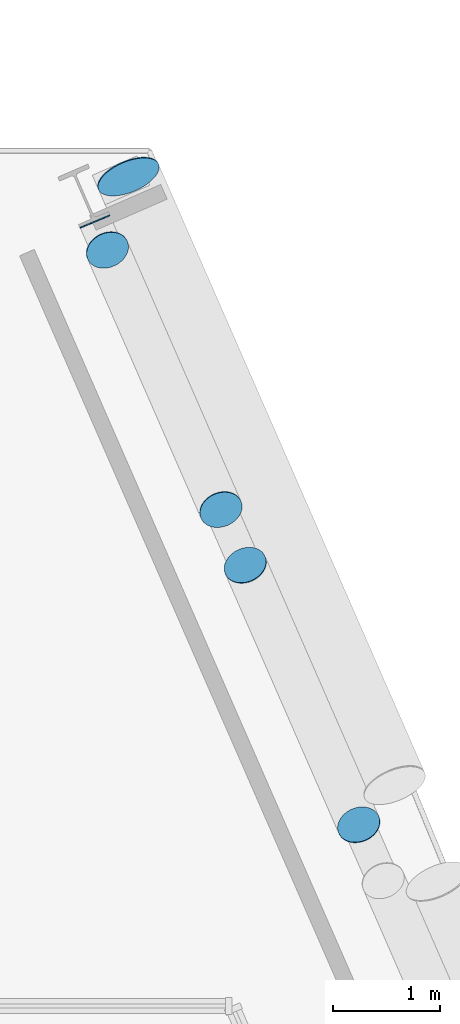
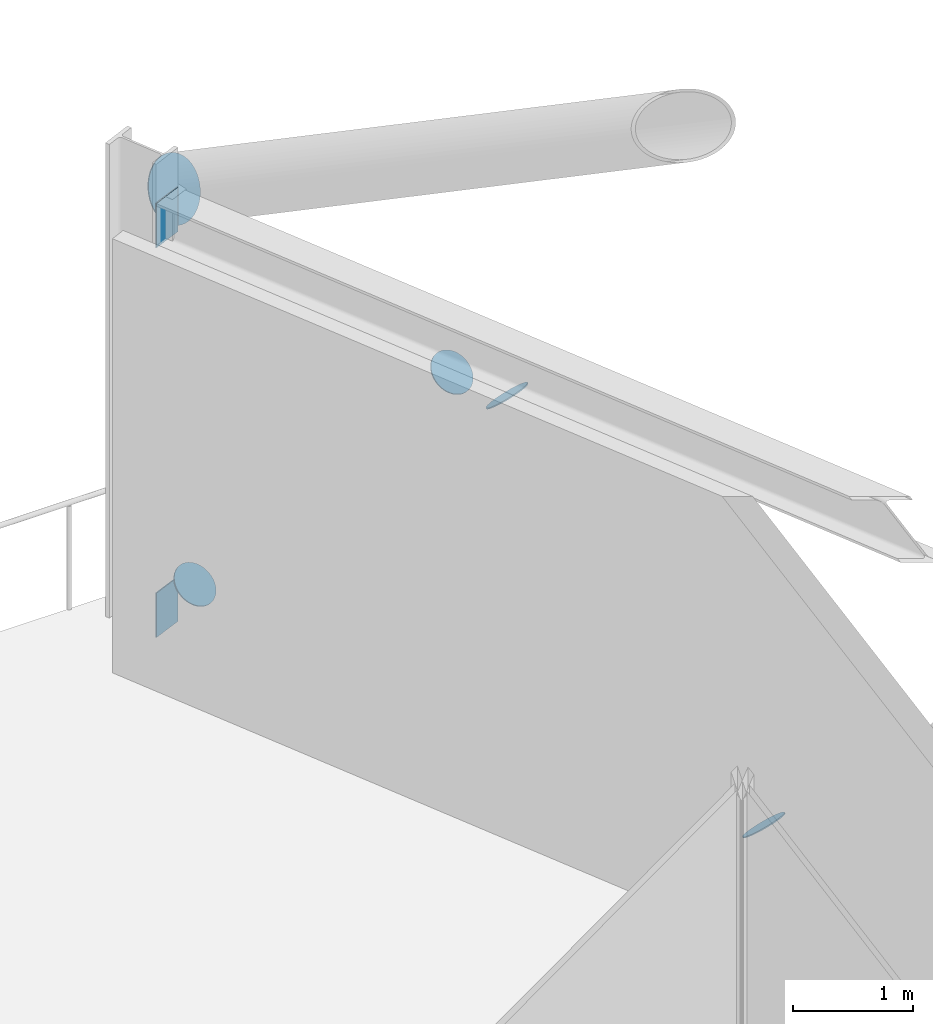
# One storey, part 27 of 35: 7 discrete accessories.
"""IFC4 building model written with IfcOpenShell, lengths in metres."""

import ifcopenshell
import ifcopenshell.guid

model = None  # the IFC model being written
_history = None  # IfcOwnerHistory: only IFC2X3 demands one
_inside = {}  # id of a spatial element -> (the spatial element, [elements in it])
_under = {}  # id of a project, library or spatial element -> (it, [spatial elements below it])
_declared = {}  # id of a project -> (the project, [libraries it declares])
_typed = {}  # id of a type object -> (the type object, [elements of that type])
_made_of = {}  # id of a material, layer set ... -> (it, [elements and type objects made of it])


def new_model(schema):
    """Start an empty IFC model of exactly this schema.

    Asked for "IFC4X3", IfcOpenShell would pick the latest addendum, in which some entities
    have other attributes; the version numbers below select the first issue.
    IFC2X3 requires an IfcOwnerHistory on every rooted entity: one is made here for all.
    """
    global model, _history
    if schema == "IFC4X3":
        model = ifcopenshell.file(schema_version=(4, 3, 0, 0))
    else:
        model = ifcopenshell.file(schema=schema)
    _inside.clear()
    _under.clear()
    _declared.clear()
    _typed.clear()
    _made_of.clear()
    _history = None
    if model.schema == "IFC2X3":
        org = make("IfcOrganization", Name="unknown")
        user = make(
            "IfcPersonAndOrganization",
            ThePerson=make("IfcPerson", FamilyName="unknown"),
            TheOrganization=org,
        )
        app = make(
            "IfcApplication",
            ApplicationDeveloper=org,
            Version="unknown",
            ApplicationFullName="unknown",
            ApplicationIdentifier="unknown",
        )
        _history = make(
            "IfcOwnerHistory",
            OwningUser=user,
            OwningApplication=app,
            ChangeAction="ADDED",
            CreationDate=0,
        )
    return model


def make(cls, **values):
    """One entity of the class cls with the attributes given. An attribute that is None is left unset."""
    return model.create_entity(
        cls, **{name: value for name, value in values.items() if value is not None}
    )


def rooted(cls, **values):
    """An entity with a GlobalId (a new one), such as an element, a storey or a relation."""
    return make(cls, GlobalId=ifcopenshell.guid.new(), OwnerHistory=_history, **values)


def si_unit(unit_type, name, prefix=None):
    """IfcSIUnit, for example si_unit("LENGTHUNIT", "METRE", prefix="MILLI")."""
    return make("IfcSIUnit", UnitType=unit_type, Prefix=prefix, Name=name)


def assignment(units):
    """IfcUnitAssignment: the units of a project."""
    return None if units is None else make("IfcUnitAssignment", Units=units)


def point(xyz):
    """IfcCartesianPoint."""
    return None if xyz is None else make("IfcCartesianPoint", Coordinates=xyz)


def direction(xyz):
    """IfcDirection."""
    return None if xyz is None else make("IfcDirection", DirectionRatios=xyz)


def frame(location, z_axis=None, x_axis=None):
    """IfcAxis2Placement3D, a coordinate frame: its origin and axes. An axis left out is left unset."""
    return make(
        "IfcAxis2Placement3D",
        Location=point(location),
        Axis=direction(z_axis),
        RefDirection=direction(x_axis),
    )


def frame_2d(location, x_axis=None):
    """IfcAxis2Placement2D, a coordinate frame in the plane: its origin and x axis."""
    return make(
        "IfcAxis2Placement2D", Location=point(location), RefDirection=direction(x_axis)
    )


def origin():
    """The frame at (0, 0, 0) with its axes left unset."""
    return frame((0.0, 0.0, 0.0))


def origin_2d():
    """The frame at (0, 0) in the plane with its x axis left unset."""
    return frame_2d((0.0, 0.0))


def place(relative_to, where):
    """IfcLocalPlacement: puts the frame where relative to a parent placement (None: the world)."""
    return make(
        "IfcLocalPlacement", PlacementRelTo=relative_to, RelativePlacement=where
    )


def context(
    kind, dimensions, precision=None, world=None, true_north=None, identifier=None
):
    """IfcGeometricRepresentationContext, for example the 3D "Model" context."""
    return make(
        "IfcGeometricRepresentationContext",
        ContextIdentifier=identifier,
        ContextType=kind,
        CoordinateSpaceDimension=dimensions,
        Precision=precision,
        WorldCoordinateSystem=world,
        TrueNorth=true_north,
    )


def subcontext(parent, identifier, kind, view, scale=None):
    """IfcGeometricRepresentationSubContext, for example "Body" below "Model"."""
    return make(
        "IfcGeometricRepresentationSubContext",
        ContextIdentifier=identifier,
        ContextType=kind,
        ParentContext=parent,
        TargetScale=scale,
        TargetView=view,
    )


def project(units=None, contexts=None):
    """IfcProject with its units and contexts."""
    return rooted(
        "IfcProject",
        Name="project",
        RepresentationContexts=contexts,
        UnitsInContext=assignment(units),
    )


def spatial(cls, under=None, at=None, **own):
    """A site, building, storey or space (cls), placed at a placement, below another one or the project."""
    s = rooted(cls, ObjectPlacement=at, **own)
    if under is not None:
        _under.setdefault(under.id(), (under, []))[1].append(s)
    return s


def profile(cls, at=None, kind="AREA", **sizes):
    """A parametric profile (cls). Its sizes go by their IFC names, for example OverallWidth=200.0."""
    return make(cls, ProfileType=kind, Position=at, **sizes)


def rectangle(**sizes):
    """IfcRectangleProfileDef."""
    return profile("IfcRectangleProfileDef", **sizes)


def circle(**sizes):
    """IfcCircleProfileDef."""
    return profile("IfcCircleProfileDef", **sizes)


def extrude(swept, where, along, depth):
    """IfcExtrudedAreaSolid: the profile swept, set in the frame where, extruded along a direction by depth."""
    return make(
        "IfcExtrudedAreaSolid",
        SweptArea=swept,
        Position=where,
        ExtrudedDirection=direction(along),
        Depth=depth,
    )


def shape(context_of_items, identifier, shape_type, items):
    """IfcShapeRepresentation: the items that make up one representation, for example the "Body"."""
    return make(
        "IfcShapeRepresentation",
        ContextOfItems=context_of_items,
        RepresentationIdentifier=identifier,
        RepresentationType=shape_type,
        Items=items,
    )


def material(Name=None, Category=None):
    """IfcMaterial."""
    return make("IfcMaterial", Name=Name, Category=Category)


def material_profile(
    of_material, cross_section, Name=None, Category=None, Priority=None
):
    """IfcMaterialProfile: a cross section and its material."""
    return make(
        "IfcMaterialProfile",
        Name=Name,
        Material=of_material,
        Profile=cross_section,
        Priority=Priority,
        Category=Category,
    )


def profile_set(profiles, Name=None, composite=None):
    """IfcMaterialProfileSet."""
    return make(
        "IfcMaterialProfileSet",
        Name=Name,
        MaterialProfiles=profiles,
        CompositeProfile=composite,
    )


def made_of(thing, what):
    """Note that an element or type object is made of a material, layer set ...; save() writes the relation."""
    if what is not None:
        _made_of.setdefault(what.id(), (what, []))[1].append(thing)
    return thing


def type_object(cls, material=None, **own):
    """A type object (cls), such as IfcWallType, which elements share."""
    return made_of(rooted(cls, **own), material)


def element(
    cls,
    number,
    at=None,
    inside=None,
    cuts=None,
    type_object=None,
    material=None,
    context=None,
    identifier="Body",
    shape_type=None,
    held_by="IfcProductDefinitionShape",
    body=None,
    shapes=None,
    **own,
):
    """One element of the class cls, such as IfcWall. Its Tag is "e" and its number.

    at: its placement. inside: the storey or other place that contains it. cuts: it is an
    opening in that element (IfcRelVoidsElement). A single representation is given by context,
    identifier, shape_type and body (its items); several are given by shapes. held_by: the class
    of the entity that holds the representations. save() writes the other relations.
    """
    e = rooted(cls, Tag="e%d" % number, ObjectPlacement=at, **own)
    if body is not None:
        shapes = [shape(context, identifier, shape_type, body)]
    if shapes is not None:
        e.Representation = make(held_by, Representations=shapes)
    if inside is not None:
        _inside.setdefault(inside.id(), (inside, []))[1].append(e)
    if cuts is not None:
        rooted(
            "IfcRelVoidsElement", RelatingBuildingElement=cuts, RelatedOpeningElement=e
        )
    if type_object is not None:
        _typed.setdefault(type_object.id(), (type_object, []))[1].append(e)
    return made_of(e, material)


def aggregate(whole, parts):
    """IfcRelAggregates: a whole, such as a stair, and the parts it consists of."""
    return rooted("IfcRelAggregates", RelatingObject=whole, RelatedObjects=parts)


def save(model, path):
    """Write the relations noted so far, then the file.

    IfcRelAggregates (storeys below a building ...), IfcRelContainedInSpatialStructure (elements
    in a storey), IfcRelDefinesByType, IfcRelAssociatesMaterial and IfcRelDeclares: one each for
    every whole, place, type object, material and project.
    """
    for whole, parts in _under.values():
        aggregate(whole, parts)
    for where, things in _inside.values():
        rooted(
            "IfcRelContainedInSpatialStructure",
            RelatedElements=things,
            RelatingStructure=where,
        )
    for kind, things in _typed.values():
        rooted("IfcRelDefinesByType", RelatedObjects=things, RelatingType=kind)
    for what, things in _made_of.values():
        rooted("IfcRelAssociatesMaterial", RelatedObjects=things, RelatingMaterial=what)
    for by, libraries in _declared.values():
        rooted("IfcRelDeclares", RelatingContext=by, RelatedDefinitions=libraries)
    model.write(path)


model = new_model("IFC4")

# Units and contexts
model_context = context("Model", 3, precision=1e-05, world=origin(), true_north=direction((0.0, 1.0)))
body_context = subcontext(model_context, "Body", "Model", "MODEL_VIEW")
ifc_project = project(units=[si_unit("LENGTHUNIT", "METRE"), si_unit("AREAUNIT", "SQUARE_METRE"), si_unit("VOLUMEUNIT", "CUBIC_METRE"), si_unit("PLANEANGLEUNIT", "RADIAN"), si_unit("MASSUNIT", "GRAM", prefix="KILO")], contexts=[model_context])

# Site, building, storey
site_placement = place(None, origin())
site = spatial("IfcSite", under=ifc_project, at=site_placement, CompositionType="ELEMENT")
building_placement = place(site_placement, origin())
building = spatial("IfcBuilding", under=site, at=building_placement, Name="Wharfspan Tower", CompositionType="ELEMENT")
storey_placement = place(building_placement, frame((0.0, 0.0, 202.300049)))
storey = spatial("IfcBuildingStorey", under=building, at=storey_placement, Name="L50", CompositionType="ELEMENT", Elevation=202.300049)

# Discrete accessories
ifc_material_1 = material(Name="Steel S460NH", Category="steel")
ifc_material_profile_1 = material_profile(ifc_material_1, circle(Radius=0.203125, at=origin_2d()))
ifc_profile_set_1 = profile_set([ifc_material_profile_1], Name="Steel S460NH")
discrete_accessory_type_1 = type_object("IfcDiscreteAccessoryType", Name="End plate CHS 406x16", PredefinedType="BRACKET", material=ifc_profile_set_1)
for number, where, z_axis, x_axis, name in (
    (1, (71.438477, 35.69165, 0.570557), (-0.242536, 0.582086, 0.776114), (-0.923073, -0.384614, 0.0), "End plate CHS 406x16"),
    (2, (70.377197, 38.118896, 3.821533), (-0.265156, 0.578523, 0.771364), (-0.909066, -0.416656, 1e-06), "End plate CHS 406x16"),
    (3, (70.148926, 38.640869, 3.829346), (-0.242536, 0.582086, -0.776114), (-0.923073, -0.384614, 0.0), "End plate CHS 406x16"),
    (4, (69.087646, 41.068359, 0.578369), (-0.268853, 0.562147, -0.782118), (-0.902135, -0.431456, 0.0), "End plate CHS 406x16"),
):
    element("IfcDiscreteAccessory", number, at=place(storey_placement, frame(where, z_axis=z_axis, x_axis=x_axis)), inside=storey, type_object=discrete_accessory_type_1, Name=name, PredefinedType="BRACKET", context=body_context, shape_type="SweptSolid", body=[
        extrude(circle(Radius=0.203125, at=origin_2d()), origin(), (0.0, 0.0, 1.0), 0.01001),
    ])
ifc_material_profile_2 = material_profile(ifc_material_1, circle(Radius=0.304932, at=origin_2d()))
ifc_profile_set_2 = profile_set([ifc_material_profile_2], Name="Steel S460NH")
discrete_accessory_type_2 = type_object("IfcDiscreteAccessoryType", Name="End plate CHS 610x25", PredefinedType="BRACKET", material=ifc_profile_set_2)
discrete_accessory_placement = place(storey_placement, frame((69.281006, 41.761719, 4.095215), z_axis=(0.345075, -0.81339, 0.468316), x_axis=(0.920586, 0.390551, -2e-06)))
element("IfcDiscreteAccessory", 5, at=discrete_accessory_placement, inside=storey, type_object=discrete_accessory_type_2, Name="End plate CHS 610x25", PredefinedType="BRACKET", context=body_context, shape_type="SweptSolid", body=[
    extrude(circle(Radius=0.304932, at=origin_2d()), origin(), (0.0, 0.0, 1.0), 0.01001),
])
ifc_material_2 = material(Name="Steel S355J2", Category="steel")
ifc_material_profile_3 = material_profile(ifc_material_2, rectangle(XDim=0.300049, YDim=0.449951, at=origin_2d()))
ifc_profile_set_3 = profile_set([ifc_material_profile_3], Name="Steel S355J2")
discrete_accessory_type_3 = type_object("IfcDiscreteAccessoryType", Name="End plate HEB 450", PredefinedType="BRACKET", material=ifc_profile_set_3)
for number, where, z_axis, x_axis, name in (
    (6, (68.972168, 41.332031, 4.175049), (-0.388057, 0.921635, 0.0), (-0.921635, -0.388057, 0.0), "End plate HEB 450"),
    (7, (68.972168, 41.332031, 0.224854), (-0.388057, 0.921635, 0.0), (-0.921635, -0.388057, 0.0), "End plate HEB 450"),
):
    element("IfcDiscreteAccessory", number, at=place(storey_placement, frame(where, z_axis=z_axis, x_axis=x_axis)), inside=storey, type_object=discrete_accessory_type_3, Name=name, PredefinedType="BRACKET", context=body_context, shape_type="SweptSolid", body=[
        extrude(rectangle(XDim=0.300049, YDim=0.449951, at=origin_2d()), origin(), (0.0, 0.0, 1.0), 0.01001),
    ])

save(model, "model.ifc")
